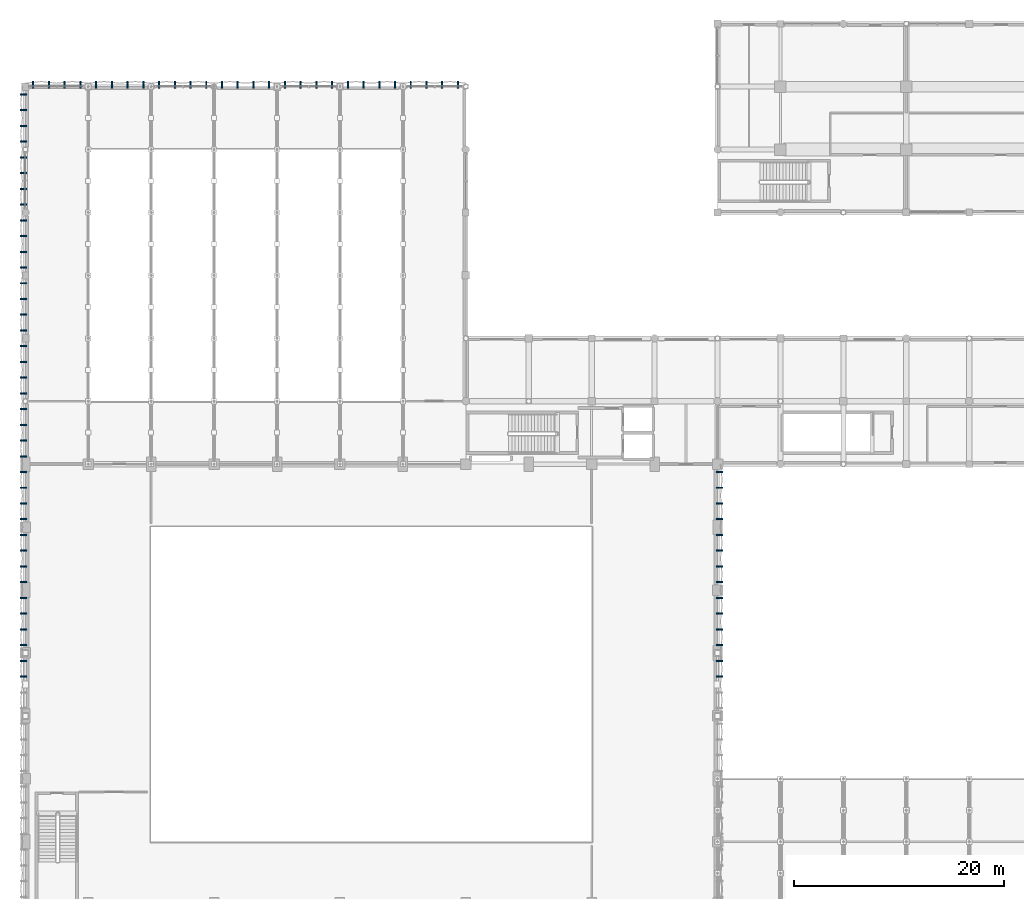
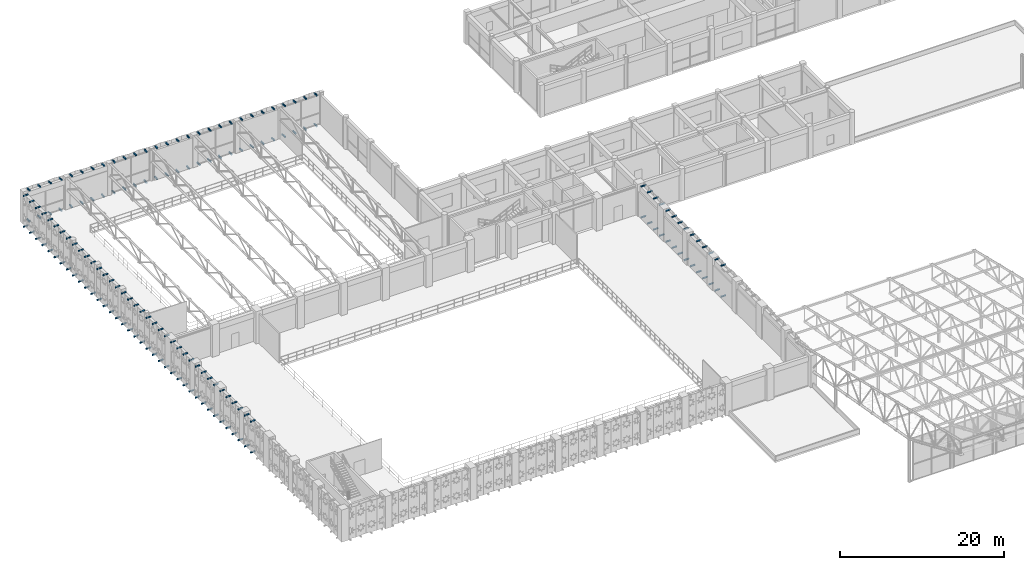
# One storey, part 111 of 123: 160 discrete accessories.
"""IFC4 building model written with IfcOpenShell, lengths in metres."""

import ifcopenshell
import ifcopenshell.guid

model = None  # the IFC model being written
_history = None  # IfcOwnerHistory: only IFC2X3 demands one
_inside = {}  # id of a spatial element -> (the spatial element, [elements in it])
_under = {}  # id of a project, library or spatial element -> (it, [spatial elements below it])
_declared = {}  # id of a project -> (the project, [libraries it declares])
_typed = {}  # id of a type object -> (the type object, [elements of that type])
_made_of = {}  # id of a material, layer set ... -> (it, [elements and type objects made of it])


def new_model(schema):
    """Start an empty IFC model of exactly this schema.

    Asked for "IFC4X3", IfcOpenShell would pick the latest addendum, in which some entities
    have other attributes; the version numbers below select the first issue.
    IFC2X3 requires an IfcOwnerHistory on every rooted entity: one is made here for all.
    """
    global model, _history
    if schema == "IFC4X3":
        model = ifcopenshell.file(schema_version=(4, 3, 0, 0))
    else:
        model = ifcopenshell.file(schema=schema)
    _inside.clear()
    _under.clear()
    _declared.clear()
    _typed.clear()
    _made_of.clear()
    _history = None
    if model.schema == "IFC2X3":
        org = make("IfcOrganization", Name="unknown")
        user = make(
            "IfcPersonAndOrganization",
            ThePerson=make("IfcPerson", FamilyName="unknown"),
            TheOrganization=org,
        )
        app = make(
            "IfcApplication",
            ApplicationDeveloper=org,
            Version="unknown",
            ApplicationFullName="unknown",
            ApplicationIdentifier="unknown",
        )
        _history = make(
            "IfcOwnerHistory",
            OwningUser=user,
            OwningApplication=app,
            ChangeAction="ADDED",
            CreationDate=0,
        )
    return model


def make(cls, **values):
    """One entity of the class cls with the attributes given. An attribute that is None is left unset."""
    return model.create_entity(
        cls, **{name: value for name, value in values.items() if value is not None}
    )


def rooted(cls, **values):
    """An entity with a GlobalId (a new one), such as an element, a storey or a relation."""
    return make(cls, GlobalId=ifcopenshell.guid.new(), OwnerHistory=_history, **values)


def si_unit(unit_type, name, prefix=None):
    """IfcSIUnit, for example si_unit("LENGTHUNIT", "METRE", prefix="MILLI")."""
    return make("IfcSIUnit", UnitType=unit_type, Prefix=prefix, Name=name)


def assignment(units):
    """IfcUnitAssignment: the units of a project."""
    return None if units is None else make("IfcUnitAssignment", Units=units)


def point(xyz):
    """IfcCartesianPoint."""
    return None if xyz is None else make("IfcCartesianPoint", Coordinates=xyz)


def direction(xyz):
    """IfcDirection."""
    return None if xyz is None else make("IfcDirection", DirectionRatios=xyz)


def frame(location, z_axis=None, x_axis=None):
    """IfcAxis2Placement3D, a coordinate frame: its origin and axes. An axis left out is left unset."""
    return make(
        "IfcAxis2Placement3D",
        Location=point(location),
        Axis=direction(z_axis),
        RefDirection=direction(x_axis),
    )


def frame_2d(location, x_axis=None):
    """IfcAxis2Placement2D, a coordinate frame in the plane: its origin and x axis."""
    return make(
        "IfcAxis2Placement2D", Location=point(location), RefDirection=direction(x_axis)
    )


def origin():
    """The frame at (0, 0, 0) with its axes left unset."""
    return frame((0.0, 0.0, 0.0))


def origin_2d():
    """The frame at (0, 0) in the plane with its x axis left unset."""
    return frame_2d((0.0, 0.0))


def place(relative_to, where):
    """IfcLocalPlacement: puts the frame where relative to a parent placement (None: the world)."""
    return make(
        "IfcLocalPlacement", PlacementRelTo=relative_to, RelativePlacement=where
    )


def context(
    kind, dimensions, precision=None, world=None, true_north=None, identifier=None
):
    """IfcGeometricRepresentationContext, for example the 3D "Model" context."""
    return make(
        "IfcGeometricRepresentationContext",
        ContextIdentifier=identifier,
        ContextType=kind,
        CoordinateSpaceDimension=dimensions,
        Precision=precision,
        WorldCoordinateSystem=world,
        TrueNorth=true_north,
    )


def subcontext(parent, identifier, kind, view, scale=None):
    """IfcGeometricRepresentationSubContext, for example "Body" below "Model"."""
    return make(
        "IfcGeometricRepresentationSubContext",
        ContextIdentifier=identifier,
        ContextType=kind,
        ParentContext=parent,
        TargetScale=scale,
        TargetView=view,
    )


def project(units=None, contexts=None):
    """IfcProject with its units and contexts."""
    return rooted(
        "IfcProject",
        Name="project",
        RepresentationContexts=contexts,
        UnitsInContext=assignment(units),
    )


def spatial(cls, under=None, at=None, **own):
    """A site, building, storey or space (cls), placed at a placement, below another one or the project."""
    s = rooted(cls, ObjectPlacement=at, **own)
    if under is not None:
        _under.setdefault(under.id(), (under, []))[1].append(s)
    return s


def profile(cls, at=None, kind="AREA", **sizes):
    """A parametric profile (cls). Its sizes go by their IFC names, for example OverallWidth=200.0."""
    return make(cls, ProfileType=kind, Position=at, **sizes)


def rectangle(**sizes):
    """IfcRectangleProfileDef."""
    return profile("IfcRectangleProfileDef", **sizes)


def extrude(swept, where, along, depth):
    """IfcExtrudedAreaSolid: the profile swept, set in the frame where, extruded along a direction by depth."""
    return make(
        "IfcExtrudedAreaSolid",
        SweptArea=swept,
        Position=where,
        ExtrudedDirection=direction(along),
        Depth=depth,
    )


def shape(context_of_items, identifier, shape_type, items):
    """IfcShapeRepresentation: the items that make up one representation, for example the "Body"."""
    return make(
        "IfcShapeRepresentation",
        ContextOfItems=context_of_items,
        RepresentationIdentifier=identifier,
        RepresentationType=shape_type,
        Items=items,
    )


def material(Name=None, Category=None):
    """IfcMaterial."""
    return make("IfcMaterial", Name=Name, Category=Category)


def made_of(thing, what):
    """Note that an element or type object is made of a material, layer set ...; save() writes the relation."""
    if what is not None:
        _made_of.setdefault(what.id(), (what, []))[1].append(thing)
    return thing


def type_object(cls, material=None, **own):
    """A type object (cls), such as IfcWallType, which elements share."""
    return made_of(rooted(cls, **own), material)


def element(
    cls,
    number,
    at=None,
    inside=None,
    cuts=None,
    type_object=None,
    material=None,
    context=None,
    identifier="Body",
    shape_type=None,
    held_by="IfcProductDefinitionShape",
    body=None,
    shapes=None,
    **own,
):
    """One element of the class cls, such as IfcWall. Its Tag is "e" and its number.

    at: its placement. inside: the storey or other place that contains it. cuts: it is an
    opening in that element (IfcRelVoidsElement). A single representation is given by context,
    identifier, shape_type and body (its items); several are given by shapes. held_by: the class
    of the entity that holds the representations. save() writes the other relations.
    """
    e = rooted(cls, Tag="e%d" % number, ObjectPlacement=at, **own)
    if body is not None:
        shapes = [shape(context, identifier, shape_type, body)]
    if shapes is not None:
        e.Representation = make(held_by, Representations=shapes)
    if inside is not None:
        _inside.setdefault(inside.id(), (inside, []))[1].append(e)
    if cuts is not None:
        rooted(
            "IfcRelVoidsElement", RelatingBuildingElement=cuts, RelatedOpeningElement=e
        )
    if type_object is not None:
        _typed.setdefault(type_object.id(), (type_object, []))[1].append(e)
    return made_of(e, material)


def aggregate(whole, parts):
    """IfcRelAggregates: a whole, such as a stair, and the parts it consists of."""
    return rooted("IfcRelAggregates", RelatingObject=whole, RelatedObjects=parts)


def save(model, path):
    """Write the relations noted so far, then the file.

    IfcRelAggregates (storeys below a building ...), IfcRelContainedInSpatialStructure (elements
    in a storey), IfcRelDefinesByType, IfcRelAssociatesMaterial and IfcRelDeclares: one each for
    every whole, place, type object, material and project.
    """
    for whole, parts in _under.values():
        aggregate(whole, parts)
    for where, things in _inside.values():
        rooted(
            "IfcRelContainedInSpatialStructure",
            RelatedElements=things,
            RelatingStructure=where,
        )
    for kind, things in _typed.values():
        rooted("IfcRelDefinesByType", RelatedObjects=things, RelatingType=kind)
    for what, things in _made_of.values():
        rooted("IfcRelAssociatesMaterial", RelatedObjects=things, RelatingMaterial=what)
    for by, libraries in _declared.values():
        rooted("IfcRelDeclares", RelatingContext=by, RelatedDefinitions=libraries)
    model.write(path)


model = new_model("IFC4")

# Units and contexts
model_context = context("Model", 3, precision=1e-05, world=origin(), true_north=direction((0.0, 1.0)))
body_context = subcontext(model_context, "Body", "Model", "MODEL_VIEW")
ifc_project = project(units=[si_unit("LENGTHUNIT", "METRE"), si_unit("AREAUNIT", "SQUARE_METRE"), si_unit("VOLUMEUNIT", "CUBIC_METRE"), si_unit("PLANEANGLEUNIT", "RADIAN"), si_unit("MASSUNIT", "GRAM", prefix="KILO"), si_unit("THERMODYNAMICTEMPERATUREUNIT", "KELVIN"), si_unit("POWERUNIT", "WATT")], contexts=[model_context])

# Site, building, storey
site_placement = place(None, origin())
site = spatial("IfcSite", under=ifc_project, at=site_placement, CompositionType="ELEMENT")
building_placement = place(site_placement, origin())
building = spatial("IfcBuilding", under=site, at=building_placement, Name="Phaisarnlok Congress Hotel", CompositionType="ELEMENT")
storey_placement = place(building_placement, frame((0.0, 0.0, 15.0)))
storey = spatial("IfcBuildingStorey", under=building, at=storey_placement, Name="L03", CompositionType="ELEMENT", Elevation=15.0)

# Discrete accessories
ifc_material = material(Name="Steel S355", Category="steel")
discrete_accessory_type = type_object("IfcDiscreteAccessoryType", Name="ACC-BRK-STL", PredefinedType="BRACKET", material=ifc_material)
for number, where, z_axis, x_axis, name in (
    (1, (-0.183837890625, 63.75, -0.18017578125), (0.0, 0.0, 1.0), (1.0, 0.0, 0.0), "Solar screen steel outrigger bracket BK-01"),
    (2, (-0.183837890625, 63.75, 4.419921875), (0.0, 0.0, 1.0), (1.0, 0.0, 0.0), "Solar screen steel outrigger bracket BK-01"),
    (3, (-0.183837890625, 65.25, -0.18017578125), (0.0, 0.0, 1.0), (1.0, 0.0, 0.0), "Solar screen steel outrigger bracket BK-01"),
    (4, (-0.183837890625, 65.25, 4.419921875), (0.0, 0.0, 1.0), (1.0, 0.0, 0.0), "Solar screen steel outrigger bracket BK-01"),
    (5, (-0.183837890625, 66.75, -0.18017578125), (0.0, 0.0, 1.0), (1.0, 0.0, 0.0), "Solar screen steel outrigger bracket BK-01"),
    (6, (-0.183837890625, 66.75, 4.419921875), (0.0, 0.0, 1.0), (1.0, 0.0, 0.0), "Solar screen steel outrigger bracket BK-01"),
    (7, (-0.183837890625, 68.25, -0.18017578125), (0.0, 0.0, 1.0), (1.0, 0.0, 0.0), "Solar screen steel outrigger bracket BK-01"),
    (8, (-0.183837890625, 68.25, 4.419921875), (0.0, 0.0, 1.0), (1.0, 0.0, 0.0), "Solar screen steel outrigger bracket BK-01"),
    (9, (-0.183837890625, 69.75, -0.18017578125), (0.0, 0.0, 1.0), (1.0, 0.0, 0.0), "Solar screen steel outrigger bracket BK-01"),
    (10, (-0.183837890625, 69.75, 4.419921875), (0.0, 0.0, 1.0), (1.0, 0.0, 0.0), "Solar screen steel outrigger bracket BK-01"),
    (11, (-0.183837890625, 71.25, -0.18017578125), (0.0, 0.0, 1.0), (1.0, 0.0, 0.0), "Solar screen steel outrigger bracket BK-01"),
    (12, (-0.183837890625, 71.25, 4.419921875), (0.0, 0.0, 1.0), (1.0, 0.0, 0.0), "Solar screen steel outrigger bracket BK-01"),
    (13, (-0.183837890625, 72.75, -0.18017578125), (0.0, 0.0, 1.0), (1.0, 0.0, 0.0), "Solar screen steel outrigger bracket BK-01"),
    (14, (-0.183837890625, 72.75, 4.419921875), (0.0, 0.0, 1.0), (1.0, 0.0, 0.0), "Solar screen steel outrigger bracket BK-01"),
    (15, (-0.183837890625, 74.25, -0.18017578125), (0.0, 0.0, 1.0), (1.0, 0.0, 0.0), "Solar screen steel outrigger bracket BK-01"),
    (16, (-0.183837890625, 74.25, 4.419921875), (0.0, 0.0, 1.0), (1.0, 0.0, 0.0), "Solar screen steel outrigger bracket BK-01"),
    (17, (-0.183837890625, 75.75, -0.18017578125), (0.0, 0.0, 1.0), (1.0, 0.0, 0.0), "Solar screen steel outrigger bracket BK-01"),
    (18, (-0.183837890625, 75.75, 4.419921875), (0.0, 0.0, 1.0), (1.0, 0.0, 0.0), "Solar screen steel outrigger bracket BK-01"),
    (19, (-0.183837890625, 77.25, -0.18017578125), (0.0, 0.0, 1.0), (1.0, 0.0, 0.0), "Solar screen steel outrigger bracket BK-01"),
    (20, (-0.183837890625, 77.25, 4.419921875), (0.0, 0.0, 1.0), (1.0, 0.0, 0.0), "Solar screen steel outrigger bracket BK-01"),
    (21, (-0.183837890625, 78.75, -0.18017578125), (0.0, 0.0, 1.0), (1.0, 0.0, 0.0), "Solar screen steel outrigger bracket BK-01"),
    (22, (-0.183837890625, 78.75, 4.419921875), (0.0, 0.0, 1.0), (1.0, 0.0, 0.0), "Solar screen steel outrigger bracket BK-01"),
    (23, (-0.183837890625, 80.25, -0.18017578125), (0.0, 0.0, 1.0), (1.0, 0.0, 0.0), "Solar screen steel outrigger bracket BK-01"),
    (24, (-0.183837890625, 80.25, 4.419921875), (0.0, 0.0, 1.0), (1.0, 0.0, 0.0), "Solar screen steel outrigger bracket BK-01"),
    (25, (-0.183837890625, 81.75, -0.18017578125), (0.0, 0.0, 1.0), (1.0, 0.0, 0.0), "Solar screen steel outrigger bracket BK-01"),
    (26, (-0.183837890625, 81.75, 4.419921875), (0.0, 0.0, 1.0), (1.0, 0.0, 0.0), "Solar screen steel outrigger bracket BK-01"),
    (27, (-0.183837890625, 83.25, -0.18017578125), (0.0, 0.0, 1.0), (1.0, 0.0, 0.0), "Solar screen steel outrigger bracket BK-01"),
    (28, (-0.183837890625, 83.25, 4.419921875), (0.0, 0.0, 1.0), (1.0, 0.0, 0.0), "Solar screen steel outrigger bracket BK-01"),
    (29, (66.183837890625, 63.75, -0.18017578125), (0.0, 0.0, 1.0), (1.0, 0.0, 0.0), "Solar screen steel outrigger bracket BK-01"),
    (30, (66.183837890625, 63.75, 4.419921875), (0.0, 0.0, 1.0), (1.0, 0.0, 0.0), "Solar screen steel outrigger bracket BK-01"),
    (31, (66.183837890625, 65.25, -0.18017578125), (0.0, 0.0, 1.0), (1.0, 0.0, 0.0), "Solar screen steel outrigger bracket BK-01"),
    (32, (66.183837890625, 65.25, 4.419921875), (0.0, 0.0, 1.0), (1.0, 0.0, 0.0), "Solar screen steel outrigger bracket BK-01"),
    (33, (66.183837890625, 66.75, -0.18017578125), (0.0, 0.0, 1.0), (1.0, 0.0, 0.0), "Solar screen steel outrigger bracket BK-01"),
    (34, (66.183837890625, 66.75, 4.419921875), (0.0, 0.0, 1.0), (1.0, 0.0, 0.0), "Solar screen steel outrigger bracket BK-01"),
    (35, (66.183837890625, 68.25, -0.18017578125), (0.0, 0.0, 1.0), (1.0, 0.0, 0.0), "Solar screen steel outrigger bracket BK-01"),
    (36, (66.183837890625, 68.25, 4.419921875), (0.0, 0.0, 1.0), (1.0, 0.0, 0.0), "Solar screen steel outrigger bracket BK-01"),
    (37, (66.183837890625, 69.75, -0.18017578125), (0.0, 0.0, 1.0), (1.0, 0.0, 0.0), "Solar screen steel outrigger bracket BK-01"),
    (38, (66.183837890625, 69.75, 4.419921875), (0.0, 0.0, 1.0), (1.0, 0.0, 0.0), "Solar screen steel outrigger bracket BK-01"),
    (39, (66.183837890625, 71.25, -0.18017578125), (0.0, 0.0, 1.0), (1.0, 0.0, 0.0), "Solar screen steel outrigger bracket BK-01"),
    (40, (66.183837890625, 71.25, 4.419921875), (0.0, 0.0, 1.0), (1.0, 0.0, 0.0), "Solar screen steel outrigger bracket BK-01"),
    (41, (66.183837890625, 72.75, -0.18017578125), (0.0, 0.0, 1.0), (1.0, 0.0, 0.0), "Solar screen steel outrigger bracket BK-01"),
    (42, (66.183837890625, 72.75, 4.419921875), (0.0, 0.0, 1.0), (1.0, 0.0, 0.0), "Solar screen steel outrigger bracket BK-01"),
    (43, (66.183837890625, 74.25, -0.18017578125), (0.0, 0.0, 1.0), (1.0, 0.0, 0.0), "Solar screen steel outrigger bracket BK-01"),
    (44, (66.183837890625, 74.25, 4.419921875), (0.0, 0.0, 1.0), (1.0, 0.0, 0.0), "Solar screen steel outrigger bracket BK-01"),
    (45, (66.183837890625, 75.75, -0.18017578125), (0.0, 0.0, 1.0), (1.0, 0.0, 0.0), "Solar screen steel outrigger bracket BK-01"),
    (46, (66.183837890625, 75.75, 4.419921875), (0.0, 0.0, 1.0), (1.0, 0.0, 0.0), "Solar screen steel outrigger bracket BK-01"),
    (47, (66.183837890625, 77.25, -0.18017578125), (0.0, 0.0, 1.0), (1.0, 0.0, 0.0), "Solar screen steel outrigger bracket BK-01"),
    (48, (66.183837890625, 77.25, 4.419921875), (0.0, 0.0, 1.0), (1.0, 0.0, 0.0), "Solar screen steel outrigger bracket BK-01"),
    (49, (66.183837890625, 78.75, -0.18017578125), (0.0, 0.0, 1.0), (1.0, 0.0, 0.0), "Solar screen steel outrigger bracket BK-01"),
    (50, (66.183837890625, 78.75, 4.419921875), (0.0, 0.0, 1.0), (1.0, 0.0, 0.0), "Solar screen steel outrigger bracket BK-01"),
    (51, (66.183837890625, 80.25, -0.18017578125), (0.0, 0.0, 1.0), (1.0, 0.0, 0.0), "Solar screen steel outrigger bracket BK-01"),
    (52, (66.183837890625, 80.25, 4.419921875), (0.0, 0.0, 1.0), (1.0, 0.0, 0.0), "Solar screen steel outrigger bracket BK-01"),
    (53, (66.183837890625, 81.75, -0.18017578125), (0.0, 0.0, 1.0), (1.0, 0.0, 0.0), "Solar screen steel outrigger bracket BK-01"),
    (54, (66.183837890625, 81.75, 4.419921875), (0.0, 0.0, 1.0), (1.0, 0.0, 0.0), "Solar screen steel outrigger bracket BK-01"),
    (55, (66.183837890625, 83.25, -0.18017578125), (0.0, 0.0, 1.0), (1.0, 0.0, 0.0), "Solar screen steel outrigger bracket BK-01"),
    (56, (66.183837890625, 83.25, 4.419921875), (0.0, 0.0, 1.0), (1.0, 0.0, 0.0), "Solar screen steel outrigger bracket BK-01"),
    (57, (-0.183837890625, 84.75, -0.18017578125), (0.0, 0.0, 1.0), (1.0, 0.0, 0.0), "Solar screen steel outrigger bracket BK-01"),
    (58, (-0.183837890625, 84.75, 4.419921875), (0.0, 0.0, 1.0), (1.0, 0.0, 0.0), "Solar screen steel outrigger bracket BK-01"),
    (59, (-0.183837890625, 86.25, -0.18017578125), (0.0, 0.0, 1.0), (1.0, 0.0, 0.0), "Solar screen steel outrigger bracket BK-01"),
    (60, (-0.183837890625, 86.25, 4.419921875), (0.0, 0.0, 1.0), (1.0, 0.0, 0.0), "Solar screen steel outrigger bracket BK-01"),
    (61, (-0.183837890625, 87.75, -0.18017578125), (0.0, 0.0, 1.0), (1.0, 0.0, 0.0), "Solar screen steel outrigger bracket BK-01"),
    (62, (-0.183837890625, 87.75, 4.419921875), (0.0, 0.0, 1.0), (1.0, 0.0, 0.0), "Solar screen steel outrigger bracket BK-01"),
    (63, (-0.183837890625, 89.25, -0.18017578125), (0.0, 0.0, 1.0), (1.0, 0.0, 0.0), "Solar screen steel outrigger bracket BK-01"),
    (64, (-0.183837890625, 89.25, 4.419921875), (0.0, 0.0, 1.0), (1.0, 0.0, 0.0), "Solar screen steel outrigger bracket BK-01"),
    (65, (-0.183837890625, 90.75, -0.18017578125), (0.0, 0.0, 1.0), (1.0, 0.0, 0.0), "Solar screen steel outrigger bracket BK-01"),
    (66, (-0.183837890625, 90.75, 4.419921875), (0.0, 0.0, 1.0), (1.0, 0.0, 0.0), "Solar screen steel outrigger bracket BK-01"),
    (67, (-0.183837890625, 92.25, -0.18017578125), (0.0, 0.0, 1.0), (1.0, 0.0, 0.0), "Solar screen steel outrigger bracket BK-01"),
    (68, (-0.183837890625, 92.25, 4.419921875), (0.0, 0.0, 1.0), (1.0, 0.0, 0.0), "Solar screen steel outrigger bracket BK-01"),
    (69, (-0.183837890625, 93.75, -0.18017578125), (0.0, 0.0, 1.0), (1.0, 0.0, 0.0), "Solar screen steel outrigger bracket BK-01"),
    (70, (-0.183837890625, 93.75, 4.419921875), (0.0, 0.0, 1.0), (1.0, 0.0, 0.0), "Solar screen steel outrigger bracket BK-01"),
    (71, (-0.183837890625, 95.25, -0.18017578125), (0.0, 0.0, 1.0), (1.0, 0.0, 0.0), "Solar screen steel outrigger bracket BK-01"),
    (72, (-0.183837890625, 95.25, 4.419921875), (0.0, 0.0, 1.0), (1.0, 0.0, 0.0), "Solar screen steel outrigger bracket BK-01"),
    (73, (-0.183837890625, 96.75, -0.18017578125), (0.0, 0.0, 1.0), (1.0, 0.0, 0.0), "Solar screen steel outrigger bracket BK-01"),
    (74, (-0.183837890625, 96.75, 4.419921875), (0.0, 0.0, 1.0), (1.0, 0.0, 0.0), "Solar screen steel outrigger bracket BK-01"),
    (75, (-0.183837890625, 98.25, -0.18017578125), (0.0, 0.0, 1.0), (1.0, 0.0, 0.0), "Solar screen steel outrigger bracket BK-01"),
    (76, (-0.183837890625, 98.25, 4.419921875), (0.0, 0.0, 1.0), (1.0, 0.0, 0.0), "Solar screen steel outrigger bracket BK-01"),
    (77, (-0.183837890625, 99.75, -0.18017578125), (0.0, 0.0, 1.0), (1.0, 0.0, 0.0), "Solar screen steel outrigger bracket BK-01"),
    (78, (-0.183837890625, 99.75, 4.419921875), (0.0, 0.0, 1.0), (1.0, 0.0, 0.0), "Solar screen steel outrigger bracket BK-01"),
    (79, (-0.183837890625, 101.25, -0.18017578125), (0.0, 0.0, 1.0), (1.0, 0.0, 0.0), "Solar screen steel outrigger bracket BK-01"),
    (80, (-0.183837890625, 101.25, 4.419921875), (0.0, 0.0, 1.0), (1.0, 0.0, 0.0), "Solar screen steel outrigger bracket BK-01"),
    (81, (-0.183837890625, 102.75, -0.18017578125), (0.0, 0.0, 1.0), (1.0, 0.0, 0.0), "Solar screen steel outrigger bracket BK-01"),
    (82, (-0.183837890625, 102.75, 4.419921875), (0.0, 0.0, 1.0), (1.0, 0.0, 0.0), "Solar screen steel outrigger bracket BK-01"),
    (83, (-0.183837890625, 104.25, -0.18017578125), (0.0, 0.0, 1.0), (1.0, 0.0, 0.0), "Solar screen steel outrigger bracket BK-01"),
    (84, (-0.183837890625, 104.25, 4.419921875), (0.0, 0.0, 1.0), (1.0, 0.0, 0.0), "Solar screen steel outrigger bracket BK-01"),
    (85, (-0.183837890625, 105.75, -0.18017578125), (0.0, 0.0, 1.0), (1.0, 0.0, 0.0), "Solar screen steel outrigger bracket BK-01"),
    (86, (-0.183837890625, 105.75, 4.419921875), (0.0, 0.0, 1.0), (1.0, 0.0, 0.0), "Solar screen steel outrigger bracket BK-01"),
    (87, (-0.183837890625, 107.25, -0.18017578125), (0.0, 0.0, 1.0), (1.0, 0.0, 0.0), "Solar screen steel outrigger bracket BK-01"),
    (88, (-0.183837890625, 107.25, 4.419921875), (0.0, 0.0, 1.0), (1.0, 0.0, 0.0), "Solar screen steel outrigger bracket BK-01"),
    (89, (-0.183837890625, 108.75, -0.18017578125), (0.0, 0.0, 1.0), (1.0, 0.0, 0.0), "Solar screen steel outrigger bracket BK-01"),
    (90, (-0.183837890625, 108.75, 4.419921875), (0.0, 0.0, 1.0), (1.0, 0.0, 0.0), "Solar screen steel outrigger bracket BK-01"),
    (91, (-0.183837890625, 110.25, -0.18017578125), (0.0, 0.0, 1.0), (1.0, 0.0, 0.0), "Solar screen steel outrigger bracket BK-01"),
    (92, (-0.183837890625, 110.25, 4.419921875), (0.0, 0.0, 1.0), (1.0, 0.0, 0.0), "Solar screen steel outrigger bracket BK-01"),
    (93, (-0.183837890625, 111.75, -0.18017578125), (0.0, 0.0, 1.0), (1.0, 0.0, 0.0), "Solar screen steel outrigger bracket BK-01"),
    (94, (-0.183837890625, 111.75, 4.419921875), (0.0, 0.0, 1.0), (1.0, 0.0, 0.0), "Solar screen steel outrigger bracket BK-01"),
    (95, (-0.183837890625, 113.25, -0.18017578125), (0.0, 0.0, 1.0), (1.0, 0.0, 0.0), "Solar screen steel outrigger bracket BK-01"),
    (96, (-0.183837890625, 113.25, 4.419921875), (0.0, 0.0, 1.0), (1.0, 0.0, 0.0), "Solar screen steel outrigger bracket BK-01"),
    (97, (-0.183837890625, 114.75, -0.18017578125), (0.0, 0.0, 1.0), (1.0, 0.0, 0.0), "Solar screen steel outrigger bracket BK-01"),
    (98, (-0.183837890625, 114.75, 4.419921875), (0.0, 0.0, 1.0), (1.0, 0.0, 0.0), "Solar screen steel outrigger bracket BK-01"),
    (99, (-0.183837890625, 116.25, -0.18017578125), (0.0, 0.0, 1.0), (1.0, 0.0, 0.0), "Solar screen steel outrigger bracket BK-01"),
    (100, (-0.183837890625, 116.25, 4.419921875), (0.0, 0.0, 1.0), (1.0, 0.0, 0.0), "Solar screen steel outrigger bracket BK-01"),
    (101, (-0.183837890625, 117.75, -0.18017578125), (0.0, 0.0, 1.0), (1.0, 0.0, 0.0), "Solar screen steel outrigger bracket BK-01"),
    (102, (-0.183837890625, 117.75, 4.419921875), (0.0, 0.0, 1.0), (1.0, 0.0, 0.0), "Solar screen steel outrigger bracket BK-01"),
    (103, (-0.183837890625, 119.25, -0.18017578125), (0.0, 0.0, 1.0), (1.0, 0.0, 0.0), "Solar screen steel outrigger bracket BK-01"),
    (104, (-0.183837890625, 119.25, 4.419921875), (0.0, 0.0, 1.0), (1.0, 0.0, 0.0), "Solar screen steel outrigger bracket BK-01"),
):
    element("IfcDiscreteAccessory", number, at=place(storey_placement, frame(where, z_axis=z_axis, x_axis=x_axis)), inside=storey, type_object=discrete_accessory_type, Name=name, PredefinedType="BRACKET", context=body_context, shape_type="SweptSolid", body=[
        extrude(rectangle(XDim=0.647705078125, YDim=0.139892578125, at=origin_2d()), origin(), (0.0, 0.0, 1.0), 0.159912109375),
    ])
for number, where, z_axis, x_axis, name in (
    (105, (0.75, 120.183837890625, -0.18017578125), (0.0, 0.0, 1.0), (1.0, 0.0, 0.0), "Solar screen steel outrigger bracket BK-01"),
    (106, (0.75, 120.183837890625, 4.419921875), (0.0, 0.0, 1.0), (1.0, 0.0, 0.0), "Solar screen steel outrigger bracket BK-01"),
    (107, (2.25, 120.183837890625, -0.18017578125), (0.0, 0.0, 1.0), (1.0, 0.0, 0.0), "Solar screen steel outrigger bracket BK-01"),
    (108, (2.25, 120.183837890625, 4.419921875), (0.0, 0.0, 1.0), (1.0, 0.0, 0.0), "Solar screen steel outrigger bracket BK-01"),
    (109, (3.75, 120.183837890625, -0.18017578125), (0.0, 0.0, 1.0), (1.0, 0.0, 0.0), "Solar screen steel outrigger bracket BK-01"),
    (110, (3.75, 120.183837890625, 4.419921875), (0.0, 0.0, 1.0), (1.0, 0.0, 0.0), "Solar screen steel outrigger bracket BK-01"),
    (111, (5.25, 120.183837890625, -0.18017578125), (0.0, 0.0, 1.0), (1.0, 0.0, 0.0), "Solar screen steel outrigger bracket BK-01"),
    (112, (5.25, 120.183837890625, 4.419921875), (0.0, 0.0, 1.0), (1.0, 0.0, 0.0), "Solar screen steel outrigger bracket BK-01"),
    (113, (6.75, 120.183837890625, -0.18017578125), (0.0, 0.0, 1.0), (1.0, 0.0, 0.0), "Solar screen steel outrigger bracket BK-01"),
    (114, (6.75, 120.183837890625, 4.419921875), (0.0, 0.0, 1.0), (1.0, 0.0, 0.0), "Solar screen steel outrigger bracket BK-01"),
    (115, (8.25, 120.183837890625, -0.18017578125), (0.0, 0.0, 1.0), (1.0, 0.0, 0.0), "Solar screen steel outrigger bracket BK-01"),
    (116, (8.25, 120.183837890625, 4.419921875), (0.0, 0.0, 1.0), (1.0, 0.0, 0.0), "Solar screen steel outrigger bracket BK-01"),
    (117, (9.75, 120.183837890625, -0.18017578125), (0.0, 0.0, 1.0), (1.0, 0.0, 0.0), "Solar screen steel outrigger bracket BK-01"),
    (118, (9.75, 120.183837890625, 4.419921875), (0.0, 0.0, 1.0), (1.0, 0.0, 0.0), "Solar screen steel outrigger bracket BK-01"),
    (119, (11.25, 120.183837890625, -0.18017578125), (0.0, 0.0, 1.0), (1.0, 0.0, 0.0), "Solar screen steel outrigger bracket BK-01"),
    (120, (11.25, 120.183837890625, 4.419921875), (0.0, 0.0, 1.0), (1.0, 0.0, 0.0), "Solar screen steel outrigger bracket BK-01"),
    (121, (12.75, 120.183837890625, -0.18017578125), (0.0, 0.0, 1.0), (1.0, 0.0, 0.0), "Solar screen steel outrigger bracket BK-01"),
    (122, (12.75, 120.183837890625, 4.419921875), (0.0, 0.0, 1.0), (1.0, 0.0, 0.0), "Solar screen steel outrigger bracket BK-01"),
    (123, (14.25, 120.183837890625, -0.18017578125), (0.0, 0.0, 1.0), (1.0, 0.0, 0.0), "Solar screen steel outrigger bracket BK-01"),
    (124, (14.25, 120.183837890625, 4.419921875), (0.0, 0.0, 1.0), (1.0, 0.0, 0.0), "Solar screen steel outrigger bracket BK-01"),
    (125, (15.75, 120.183837890625, -0.18017578125), (0.0, 0.0, 1.0), (1.0, 0.0, 0.0), "Solar screen steel outrigger bracket BK-01"),
    (126, (15.75, 120.183837890625, 4.419921875), (0.0, 0.0, 1.0), (1.0, 0.0, 0.0), "Solar screen steel outrigger bracket BK-01"),
    (127, (17.25, 120.183837890625, -0.18017578125), (0.0, 0.0, 1.0), (1.0, 0.0, 0.0), "Solar screen steel outrigger bracket BK-01"),
    (128, (17.25, 120.183837890625, 4.419921875), (0.0, 0.0, 1.0), (1.0, 0.0, 0.0), "Solar screen steel outrigger bracket BK-01"),
    (129, (18.75, 120.183837890625, -0.18017578125), (0.0, 0.0, 1.0), (1.0, 0.0, 0.0), "Solar screen steel outrigger bracket BK-01"),
    (130, (18.75, 120.183837890625, 4.419921875), (0.0, 0.0, 1.0), (1.0, 0.0, 0.0), "Solar screen steel outrigger bracket BK-01"),
    (131, (20.25, 120.183837890625, -0.18017578125), (0.0, 0.0, 1.0), (1.0, 0.0, 0.0), "Solar screen steel outrigger bracket BK-01"),
    (132, (20.25, 120.183837890625, 4.419921875), (0.0, 0.0, 1.0), (1.0, 0.0, 0.0), "Solar screen steel outrigger bracket BK-01"),
    (133, (21.75, 120.183837890625, -0.18017578125), (0.0, 0.0, 1.0), (1.0, 0.0, 0.0), "Solar screen steel outrigger bracket BK-01"),
    (134, (21.75, 120.183837890625, 4.419921875), (0.0, 0.0, 1.0), (1.0, 0.0, 0.0), "Solar screen steel outrigger bracket BK-01"),
    (135, (23.25, 120.183837890625, -0.18017578125), (0.0, 0.0, 1.0), (1.0, 0.0, 0.0), "Solar screen steel outrigger bracket BK-01"),
    (136, (23.25, 120.183837890625, 4.419921875), (0.0, 0.0, 1.0), (1.0, 0.0, 0.0), "Solar screen steel outrigger bracket BK-01"),
    (137, (24.75, 120.183837890625, -0.18017578125), (0.0, 0.0, 1.0), (1.0, 0.0, 0.0), "Solar screen steel outrigger bracket BK-01"),
    (138, (24.75, 120.183837890625, 4.419921875), (0.0, 0.0, 1.0), (1.0, 0.0, 0.0), "Solar screen steel outrigger bracket BK-01"),
    (139, (26.25, 120.183837890625, -0.18017578125), (0.0, 0.0, 1.0), (1.0, 0.0, 0.0), "Solar screen steel outrigger bracket BK-01"),
    (140, (26.25, 120.183837890625, 4.419921875), (0.0, 0.0, 1.0), (1.0, 0.0, 0.0), "Solar screen steel outrigger bracket BK-01"),
    (141, (27.75, 120.183837890625, -0.18017578125), (0.0, 0.0, 1.0), (1.0, 0.0, 0.0), "Solar screen steel outrigger bracket BK-01"),
    (142, (27.75, 120.183837890625, 4.419921875), (0.0, 0.0, 1.0), (1.0, 0.0, 0.0), "Solar screen steel outrigger bracket BK-01"),
    (143, (29.25, 120.183837890625, -0.18017578125), (0.0, 0.0, 1.0), (1.0, 0.0, 0.0), "Solar screen steel outrigger bracket BK-01"),
    (144, (29.25, 120.183837890625, 4.419921875), (0.0, 0.0, 1.0), (1.0, 0.0, 0.0), "Solar screen steel outrigger bracket BK-01"),
    (145, (30.75, 120.183837890625, -0.18017578125), (0.0, 0.0, 1.0), (1.0, 0.0, 0.0), "Solar screen steel outrigger bracket BK-01"),
    (146, (30.75, 120.183837890625, 4.419921875), (0.0, 0.0, 1.0), (1.0, 0.0, 0.0), "Solar screen steel outrigger bracket BK-01"),
    (147, (32.25, 120.183837890625, -0.18017578125), (0.0, 0.0, 1.0), (1.0, 0.0, 0.0), "Solar screen steel outrigger bracket BK-01"),
    (148, (32.25, 120.183837890625, 4.419921875), (0.0, 0.0, 1.0), (1.0, 0.0, 0.0), "Solar screen steel outrigger bracket BK-01"),
    (149, (33.75, 120.183837890625, -0.18017578125), (0.0, 0.0, 1.0), (1.0, 0.0, 0.0), "Solar screen steel outrigger bracket BK-01"),
    (150, (33.75, 120.183837890625, 4.419921875), (0.0, 0.0, 1.0), (1.0, 0.0, 0.0), "Solar screen steel outrigger bracket BK-01"),
    (151, (35.25, 120.183837890625, -0.18017578125), (0.0, 0.0, 1.0), (1.0, 0.0, 0.0), "Solar screen steel outrigger bracket BK-01"),
    (152, (35.25, 120.183837890625, 4.419921875), (0.0, 0.0, 1.0), (1.0, 0.0, 0.0), "Solar screen steel outrigger bracket BK-01"),
    (153, (36.75, 120.183837890625, -0.18017578125), (0.0, 0.0, 1.0), (1.0, 0.0, 0.0), "Solar screen steel outrigger bracket BK-01"),
    (154, (36.75, 120.183837890625, 4.419921875), (0.0, 0.0, 1.0), (1.0, 0.0, 0.0), "Solar screen steel outrigger bracket BK-01"),
    (155, (38.25, 120.183837890625, -0.18017578125), (0.0, 0.0, 1.0), (1.0, 0.0, 0.0), "Solar screen steel outrigger bracket BK-01"),
    (156, (38.25, 120.183837890625, 4.419921875), (0.0, 0.0, 1.0), (1.0, 0.0, 0.0), "Solar screen steel outrigger bracket BK-01"),
    (157, (39.75, 120.183837890625, -0.18017578125), (0.0, 0.0, 1.0), (1.0, 0.0, 0.0), "Solar screen steel outrigger bracket BK-01"),
    (158, (39.75, 120.183837890625, 4.419921875), (0.0, 0.0, 1.0), (1.0, 0.0, 0.0), "Solar screen steel outrigger bracket BK-01"),
    (159, (41.25, 120.183837890625, -0.18017578125), (0.0, 0.0, 1.0), (1.0, 0.0, 0.0), "Solar screen steel outrigger bracket BK-01"),
    (160, (41.25, 120.183837890625, 4.419921875), (0.0, 0.0, 1.0), (1.0, 0.0, 0.0), "Solar screen steel outrigger bracket BK-01"),
):
    element("IfcDiscreteAccessory", number, at=place(storey_placement, frame(where, z_axis=z_axis, x_axis=x_axis)), inside=storey, type_object=discrete_accessory_type, Name=name, PredefinedType="BRACKET", context=body_context, shape_type="SweptSolid", body=[
        extrude(rectangle(XDim=0.139892578125, YDim=0.647705078125, at=origin_2d()), origin(), (0.0, 0.0, 1.0), 0.159912109375),
    ])

save(model, "model.ifc")
